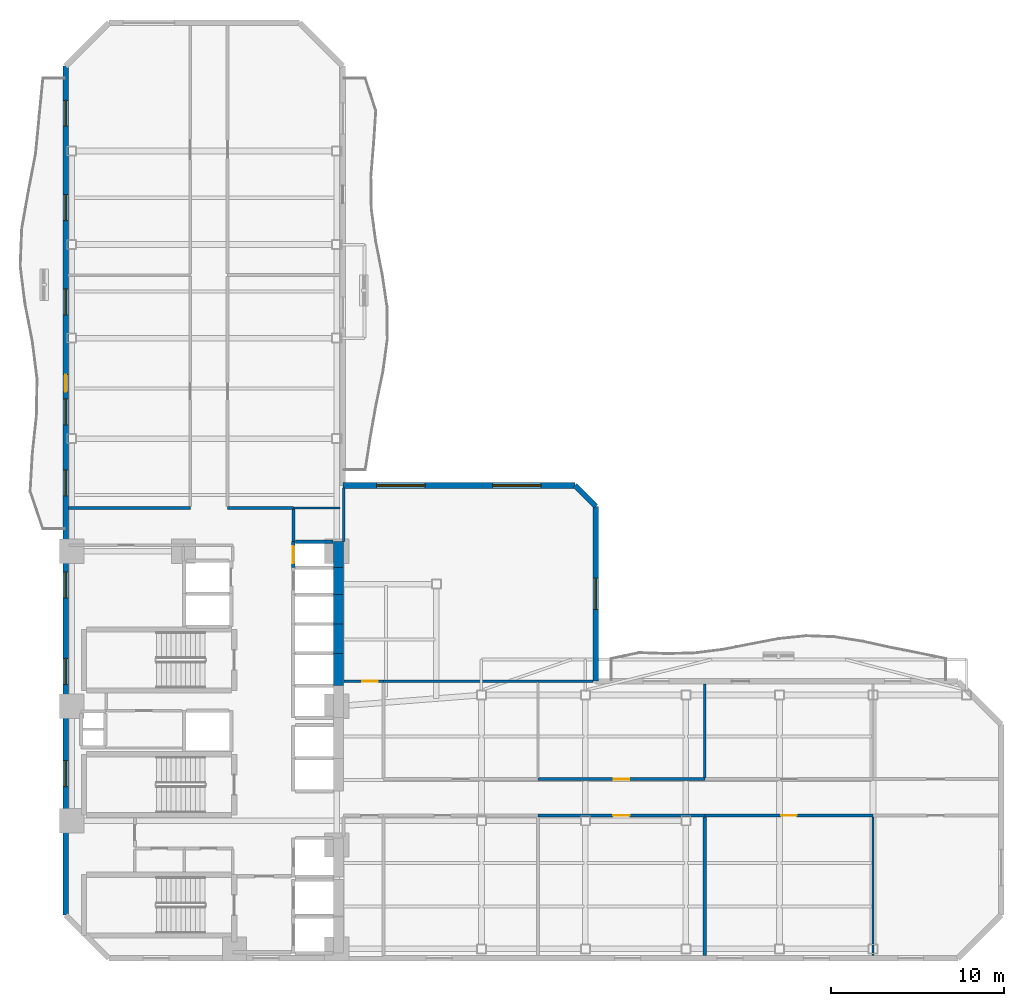
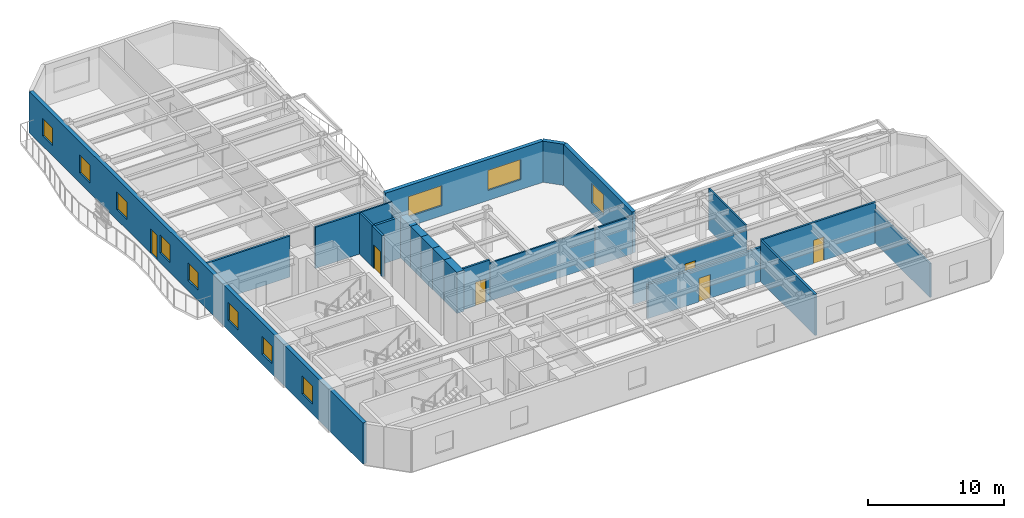
# One storey, part 5 of 10: 25 walls, 11 windows, 6 doors, 17 openings.
"""IFC4 building model written with IfcOpenShell, lengths in metres."""

from ifc_helpers import new_model, si_unit, direction, frame, frame_2d, origin, place, context, subcontext, project, spatial, rectangle, extrude, material, layer, layer_set, type_object, element, fill, save


model = new_model("IFC4")

# Units and contexts
model_context = context("Model", 3, precision=1e-05, world=origin(), true_north=direction((0.0, 1.0)))
body_context = subcontext(model_context, "Body", "Model", "MODEL_VIEW")
ifc_project = project(units=[si_unit("LENGTHUNIT", "METRE"), si_unit("AREAUNIT", "SQUARE_METRE"), si_unit("VOLUMEUNIT", "CUBIC_METRE"), si_unit("PLANEANGLEUNIT", "RADIAN"), si_unit("MASSUNIT", "GRAM", prefix="KILO")], contexts=[model_context])

# Site, building, storey
site_placement = place(None, origin())
site = spatial("IfcSite", under=ifc_project, at=site_placement, CompositionType="ELEMENT")
building_placement = place(site_placement, origin())
building = spatial("IfcBuilding", under=site, at=building_placement, Name="Mawjaban Terraces University", CompositionType="ELEMENT")
storey_placement = place(building_placement, frame((0.0, 0.0, 58.300048828125)))
storey = spatial("IfcBuildingStorey", under=building, at=storey_placement, Name="L13", CompositionType="ELEMENT", Elevation=58.300048828125)

# Wall, opening, door
ifc_material_1 = material(Name="Acoustic masonry blockwork", Category="masonry")
ifc_layer_1 = layer(ifc_material_1, 0.179931640625)
ifc_layer_set_1 = layer_set([ifc_layer_1], Name="Acoustic masonry blockwork")
wall_type_1 = type_object("IfcWallType", Name="AcousticStudioWall_180", PredefinedType="PARTITIONING", material=ifc_layer_set_1)
wall_1_placement = place(storey_placement, frame((49.260009765625, 8.25, 0.0), z_axis=(0.0, 0.0, 1.0), x_axis=(1.0, 0.0, 0.0)))
wall_1 = element("IfcWall", 1, at=wall_1_placement, inside=storey, type_object=wall_type_1, Name="L13 East Academic Spine Corridor Partition 17", PredefinedType="PARTITIONING", context=body_context, shape_type="SweptSolid", body=[
    extrude(rectangle(XDim=9.6298828125, YDim=0.179931640625, at=frame_2d((4.81494140625, 0.0))), origin(), (0.0, 0.0, 1.0), 3.054931640625),
])
opening_1_placement = place(wall_1_placement, frame((4.340087890625, 0.0, 0.0)))
opening_1 = element("IfcOpeningElement", 2, at=opening_1_placement, cuts=wall_1, Name="Opening ID-095", PredefinedType="OPENING", context=body_context, shape_type="SweptSolid", body=[
    extrude(rectangle(XDim=0.949951171875, YDim=2.10009765625, at=frame_2d((0.47509765625, 1.050048828125))), frame((0.0, 0.099853515625, 0.0), z_axis=(0.0, -1.0, 0.0), x_axis=(1.0, 0.0, 0.0)), (0.0, 0.0, 1.0), 0.199951171875),
])
ifc_material_2 = material(Name="Powder-coated steel frame and solid acoustic timber leaf", Category="steel")
door_type_1 = type_object("IfcDoorType", Name="StudioDoor_950x2100", OperationType="NOTDEFINED", PredefinedType="DOOR", material=ifc_material_2)
door_1_placement = place(opening_1_placement, origin())
door_1 = element("IfcDoor", 3, at=door_1_placement, inside=storey, type_object=door_type_1, Name="L13 Media Workshop 4 Door", OperationType="SINGLE_SWING_RIGHT", OverallHeight=2.10009765625, OverallWidth=0.949951171875, PredefinedType="DOOR", context=body_context, shape_type="SweptSolid", body=[
    extrude(rectangle(XDim=0.949951171875, YDim=2.10009765625, at=frame_2d((0.47509765625, 1.050048828125))), frame((0.0, 0.02490234375, 0.0), z_axis=(0.0, -1.0, 0.0), x_axis=(1.0, 0.0, 0.0)), (0.0, 0.0, 1.0), 0.050048828125),
])
fill(opening_1, door_1)

# Walls
wall_2_placement = place(storey_placement, frame((58.889892578125, 0.155029296875, 0.0), z_axis=(0.0, 0.0, 1.0), x_axis=(0.0, 1.0, 0.0)))
element("IfcWall", 4, at=wall_2_placement, inside=storey, type_object=wall_type_1, Name="L13 Media Workshop 4 Partition 44", PredefinedType="PARTITIONING", context=body_context, shape_type="SweptSolid", body=[
    extrude(rectangle(XDim=8.010009765625, YDim=0.179931640625, at=frame_2d((4.0048828125, 0.0))), origin(), (0.0, 0.0, 1.0), 3.68994140625),
])
ifc_material_3 = material(Name="Concrete C70/85", Category="concrete")
ifc_layer_2 = layer(ifc_material_3, 0.60009765625)
ifc_layer_set_2 = layer_set([ifc_layer_2], Name="Concrete C70/85")
wall_type_2 = type_object("IfcWallType", Name="CoreShearWall_600", PredefinedType="SHEAR", material=ifc_layer_set_2)
wall_3_placement = place(storey_placement, frame((37.75, 15.75, 0.0), z_axis=(0.0, 0.0, 1.0), x_axis=(0.0, 1.0, 0.0)))
element("IfcWall", 5, at=wall_3_placement, inside=storey, type_object=wall_type_2, Name="L13 Lift OL-2 Hoistway Wall East", PredefinedType="SHEAR", context=body_context, shape_type="SweptSolid", body=[
    extrude(rectangle(XDim=1.85009765625, YDim=0.60009765625, at=frame_2d((0.925048828125, 0.0))), origin(), (0.0, 0.0, 1.0), 3.68994140625),
])
for number, where, z_axis, x_axis, name in (
    (6, (37.75, 17.60009765625, 0.0), (0.0, 0.0, 1.0), (0.0, 1.0, 0.0), "L13 Lift PL-M1 Hoistway Wall East"),
    (7, (37.75, 19.300048828125, 0.0), (0.0, 0.0, 1.0), (0.0, 1.0, 0.0), "L13 Lift PL-M2 Hoistway Wall East"),
):
    element("IfcWall", number, at=place(storey_placement, frame(where, z_axis=z_axis, x_axis=x_axis)), inside=storey, type_object=wall_type_2, Name=name, PredefinedType="SHEAR", context=body_context, shape_type="SweptSolid", body=[
        extrude(rectangle(XDim=1.699951171875, YDim=0.60009765625, at=frame_2d((0.85009765625, 0.0))), origin(), (0.0, 0.0, 1.0), 3.68994140625),
    ])
wall_4_placement = place(storey_placement, frame((37.75, 21.0, 0.0), z_axis=(0.0, 0.0, 1.0), x_axis=(0.0, 1.0, 0.0)))
element("IfcWall", 8, at=wall_4_placement, inside=storey, type_object=wall_type_2, Name="L13 Lift PL-L1 Hoistway Wall East", PredefinedType="SHEAR", context=body_context, shape_type="SweptSolid", body=[
    extrude(rectangle(XDim=1.550048828125, YDim=0.60009765625, at=frame_2d((0.77490234375, 0.0))), origin(), (0.0, 0.0, 1.0), 3.68994140625),
])
wall_5_placement = place(storey_placement, frame((37.75, 22.550048828125, 0.0), z_axis=(0.0, 0.0, 1.0), x_axis=(0.0, 1.0, 0.0)))
element("IfcWall", 9, at=wall_5_placement, inside=storey, type_object=wall_type_2, Name="L13 Lift PL-L2 Hoistway Wall East", PredefinedType="SHEAR", context=body_context, shape_type="SweptSolid", body=[
    extrude(rectangle(XDim=1.5, YDim=0.60009765625, at=frame_2d((0.75, 0.0))), origin(), (0.0, 0.0, 1.0), 3.68994140625),
])
ifc_material_4 = material(Name="Fire-rated gypsum board on steel stud", Category="steel")
ifc_layer_3 = layer(ifc_material_4, 0.159912109375)
ifc_layer_set_3 = layer_set([ifc_layer_3], Name="Fire-rated gypsum board on steel stud")
wall_type_3 = type_object("IfcWallType", Name="CorridorPartition_160", PredefinedType="PARTITIONING", material=ifc_layer_set_3)
wall_6_placement = place(storey_placement, frame((29.199951171875, 26.0, 0.0), z_axis=(0.0, 0.0, 1.0), x_axis=(-1.0, 0.0, 0.0)))
element("IfcWall", 10, at=wall_6_placement, inside=storey, type_object=wall_type_3, Name="L13 North Core Cross-Corridor Partition 7", PredefinedType="PARTITIONING", context=body_context, shape_type="SweptSolid", body=[
    extrude(rectangle(XDim=7.044921875, YDim=0.159912109375, at=frame_2d((3.5224609375, 0.0))), origin(), (0.0, 0.0, 1.0), 3.68994140625),
])
wall_7_placement = place(storey_placement, frame((35.14990234375, 26.0, 0.0), z_axis=(0.0, 0.0, 1.0), x_axis=(-1.0, 0.0, 0.0)))
element("IfcWall", 11, at=wall_7_placement, inside=storey, type_object=wall_type_3, Name="L13 North Core Cross-Corridor Partition 11", PredefinedType="PARTITIONING", context=body_context, shape_type="SweptSolid", body=[
    extrude(rectangle(XDim=3.7998046875, YDim=0.159912109375, at=frame_2d((1.89990234375, 0.0))), origin(), (0.0, 0.0, 1.0), 3.68994140625),
])

# Wall, opening, door
wall_8_placement = place(storey_placement, frame((40.35009765625, 16.0, 0.0), z_axis=(0.0, 0.0, 1.0), x_axis=(-1.0, 0.0, 0.0)))
wall_8 = element("IfcWall", 12, at=wall_8_placement, inside=storey, type_object=wall_type_3, Name="L13 East Academic Corridor Vestibule Partition 16", PredefinedType="PARTITIONING", context=body_context, shape_type="SweptSolid", body=[
    extrude(rectangle(XDim=2.27001953125, YDim=0.159912109375, at=frame_2d((1.135009765625, 0.0))), origin(), (0.0, 0.0, 1.0), 3.68994140625),
])
opening_2_placement = place(wall_8_placement, frame((0.3349609375, 0.0, 0.0)))
opening_2 = element("IfcOpeningElement", 13, at=opening_2_placement, cuts=wall_8, Name="Opening ID-090", PredefinedType="OPENING", context=body_context, shape_type="SweptSolid", body=[
    extrude(rectangle(XDim=0.89990234375, YDim=2.10009765625, at=frame_2d((0.449951171875, 1.050048828125))), frame((0.0, 0.08984375, 0.0), z_axis=(0.0, -1.0, 0.0), x_axis=(1.0, 0.0, 0.0)), (0.0, 0.0, 1.0), 0.179931640625),
])
door_type_2 = type_object("IfcDoorType", Name="OfficeDoor_900x2100", OperationType="NOTDEFINED", PredefinedType="DOOR", material=ifc_material_2)
door_2_placement = place(opening_2_placement, origin())
door_2 = element("IfcDoor", 14, at=door_2_placement, inside=storey, type_object=door_type_2, Name="L13 Terrace Collaborative Study Room Door", OperationType="SINGLE_SWING_RIGHT", OverallHeight=2.10009765625, OverallWidth=0.89990234375, PredefinedType="DOOR", context=body_context, shape_type="SweptSolid", body=[
    extrude(rectangle(XDim=0.89990234375, YDim=2.10009765625, at=frame_2d((0.449951171875, 1.050048828125))), frame((0.0, 0.02490234375, 0.0), z_axis=(0.0, -1.0, 0.0), x_axis=(1.0, 0.0, 0.0)), (0.0, 0.0, 1.0), 0.050048828125),
])
fill(opening_2, door_2)

wall_9_placement = place(storey_placement, frame((58.889892578125, 8.25, 0.0), z_axis=(0.0, 0.0, 1.0), x_axis=(1.0, 0.0, 0.0)))
wall_9 = element("IfcWall", 15, at=wall_9_placement, inside=storey, type_object=wall_type_3, Name="L13 East Academic Spine Corridor Partition 21", PredefinedType="PARTITIONING", context=body_context, shape_type="SweptSolid", body=[
    extrude(rectangle(XDim=9.710205078125, YDim=0.159912109375, at=frame_2d((4.85498046875, 0.0))), origin(), (0.0, 0.0, 1.0), 3.68994140625),
])
opening_3_placement = place(wall_9_placement, frame((4.405029296875, 0.0, 0.0)))
opening_3 = element("IfcOpeningElement", 16, at=opening_3_placement, cuts=wall_9, Name="Opening ID-090", PredefinedType="OPENING", context=body_context, shape_type="SweptSolid", body=[
    extrude(rectangle(XDim=0.89990234375, YDim=2.10009765625, at=frame_2d((0.449951171875, 1.050048828125))), frame((0.0, 0.08984375, 0.0), z_axis=(0.0, -1.0, 0.0), x_axis=(1.0, 0.0, 0.0)), (0.0, 0.0, 1.0), 0.179931640625),
])
door_3_placement = place(opening_3_placement, origin())
door_3 = element("IfcDoor", 17, at=door_3_placement, inside=storey, type_object=door_type_2, Name="L13 Reading Salon 6 Door", OperationType="SINGLE_SWING_RIGHT", OverallHeight=2.10009765625, OverallWidth=0.89990234375, PredefinedType="DOOR", context=body_context, shape_type="SweptSolid", body=[
    extrude(rectangle(XDim=0.89990234375, YDim=2.10009765625, at=frame_2d((0.449951171875, 1.050048828125))), frame((0.0, 0.02490234375, 0.0), z_axis=(0.0, -1.0, 0.0), x_axis=(1.0, 0.0, 0.0)), (0.0, 0.0, 1.0), 0.050048828125),
])
fill(opening_3, door_3)

wall_10_placement = place(storey_placement, frame((58.889892578125, 10.35009765625, 0.0), z_axis=(0.0, 0.0, 1.0), x_axis=(-1.0, 0.0, 0.0)))
wall_10 = element("IfcWall", 18, at=wall_10_placement, inside=storey, type_object=wall_type_3, Name="L13 East Academic Spine Corridor Partition 22", PredefinedType="PARTITIONING", context=body_context, shape_type="SweptSolid", body=[
    extrude(rectangle(XDim=9.6298828125, YDim=0.159912109375, at=frame_2d((4.81494140625, 0.0))), origin(), (0.0, 0.0, 1.0), 3.27685546875),
])
opening_4_placement = place(wall_10_placement, frame((4.364990234375, 0.0, 0.0)))
opening_4 = element("IfcOpeningElement", 19, at=opening_4_placement, cuts=wall_10, Name="Opening ID-090", PredefinedType="OPENING", context=body_context, shape_type="SweptSolid", body=[
    extrude(rectangle(XDim=0.89990234375, YDim=2.10009765625, at=frame_2d((0.449951171875, 1.050048828125))), frame((0.0, 0.08984375, 0.0), z_axis=(0.0, -1.0, 0.0), x_axis=(1.0, 0.0, 0.0)), (0.0, 0.0, 1.0), 0.179931640625),
])
door_4_placement = place(opening_4_placement, origin())
door_4 = element("IfcDoor", 20, at=door_4_placement, inside=storey, type_object=door_type_2, Name="L13 Quiet Reading Room 5 Door", OperationType="SINGLE_SWING_LEFT", OverallHeight=2.10009765625, OverallWidth=0.89990234375, PredefinedType="DOOR", context=body_context, shape_type="SweptSolid", body=[
    extrude(rectangle(XDim=0.89990234375, YDim=2.10009765625, at=frame_2d((0.449951171875, 1.050048828125))), frame((0.0, 0.02490234375, 0.0), z_axis=(0.0, -1.0, 0.0), x_axis=(1.0, 0.0, 0.0)), (0.0, 0.0, 1.0), 0.050048828125),
])
fill(opening_4, door_4)

# Wall
wall_11_placement = place(storey_placement, frame((35.14990234375, 24.070068359375, 0.0), z_axis=(0.0, 0.0, 1.0), x_axis=(0.0, 1.0, 0.0)))
element("IfcWall", 21, at=wall_11_placement, inside=storey, type_object=wall_type_3, Name="L13 North Core Cross-Corridor Partition 37", PredefinedType="PARTITIONING", context=body_context, shape_type="SweptSolid", body=[
    extrude(rectangle(XDim=1.85498046875, YDim=0.159912109375, at=frame_2d((0.927490234375, 0.0))), origin(), (0.0, 0.0, 1.0), 3.68994140625),
])

# Wall, opening, window
ifc_material_5 = material(Name="Insulated terracotta rainscreen on concrete backup C40/50", Category="masonry")
ifc_layer_4 = layer(ifc_material_5, 0.320068359375)
ifc_layer_set_4 = layer_set([ifc_layer_4], Name="Insulated terracotta rainscreen on concrete backup C40/50")
wall_type_4 = type_object("IfcWallType", Name="ExtTerracottaWall_320", PredefinedType="SOLIDWALL", material=ifc_layer_set_4)
wall_12_placement = place(storey_placement, frame((52.60009765625, 16.0, 0.0), z_axis=(0.0, 0.0, 1.0), x_axis=(0.0, 1.0, 0.0)))
wall_12 = element("IfcWall", 22, at=wall_12_placement, inside=storey, type_object=wall_type_4, Name="L13 Exterior Terracotta Wall 6", PredefinedType="SOLIDWALL", context=body_context, shape_type="SweptSolid", body=[
    extrude(rectangle(XDim=10.094970703125, YDim=0.320068359375, at=frame_2d((5.04736328125, 0.0))), origin(), (0.0, 0.0, 1.0), 3.68994140625),
])
opening_5_placement = place(wall_12_placement, frame((4.14697265625, 0.0, 0.89990234375)))
opening_5 = element("IfcOpeningElement", 23, at=opening_5_placement, cuts=wall_12, Name="Opening W-07", PredefinedType="OPENING", context=body_context, shape_type="SweptSolid", body=[
    extrude(rectangle(XDim=1.800048828125, YDim=1.800048828125, at=frame_2d((0.89990234375, 0.89990234375))), frame((0.0, 0.169921875, 0.0), z_axis=(0.0, -1.0, 0.0), x_axis=(1.0, 0.0, 0.0)), (0.0, 0.0, 1.0), 0.340087890625),
])
ifc_material_6 = material(Name="Low-E solar-control double glazing in thermally broken aluminium frame", Category="aluminium")
window_type_1 = type_object("IfcWindowType", Name="Win_1800x1800", PartitioningType="SINGLE_PANEL", PredefinedType="WINDOW", material=ifc_material_6)
window_1_placement = place(opening_5_placement, origin())
window_1 = element("IfcWindow", 24, at=window_1_placement, inside=storey, type_object=window_type_1, Name="L13 Facade Window 6.1", OverallHeight=1.800048828125, OverallWidth=1.800048828125, PartitioningType="SINGLE_PANEL", PredefinedType="WINDOW", context=body_context, shape_type="SweptSolid", body=[
    extrude(rectangle(XDim=1.800048828125, YDim=1.800048828125, at=frame_2d((0.89990234375, 0.89990234375))), frame((0.0, 0.030029296875, 0.0), z_axis=(0.0, -1.0, 0.0), x_axis=(1.0, 0.0, 0.0)), (0.0, 0.0, 1.0), 0.06005859375),
])
fill(opening_5, window_1)

# Wall
wall_13_placement = place(storey_placement, frame((52.60009765625, 26.094970703125, 0.0), z_axis=(0.0, 0.0, 1.0), x_axis=(-0.707178703759, 0.707034851297, 0.0)))
element("IfcWall", 25, at=wall_13_placement, inside=storey, type_object=wall_type_4, Name="L13 Exterior Terracotta Wall 7", PredefinedType="SOLIDWALL", context=body_context, shape_type="SweptSolid", body=[
    extrude(rectangle(XDim=1.697265625, YDim=0.320068359375, at=frame_2d((0.8486328125, 0.0))), origin(), (0.0, 0.0, 1.0), 3.68994140625),
])

# Wall, openings, windows
wall_14_placement = place(storey_placement, frame((51.39990234375, 27.294921875, 0.0), z_axis=(0.0, 0.0, 1.0), x_axis=(-1.0, 0.0, 0.0)))
wall_14 = element("IfcWall", 26, at=wall_14_placement, inside=storey, type_object=wall_type_4, Name="L13 Exterior Terracotta Wall 8", PredefinedType="SOLIDWALL", context=body_context, shape_type="SweptSolid", body=[
    extrude(rectangle(XDim=13.39990234375, YDim=0.320068359375, at=frame_2d((6.699951171875, 0.0))), origin(), (0.0, 0.0, 1.0), 3.68994140625),
])
opening_6_placement = place(wall_14_placement, frame((1.949951171875, 0.0, 0.89990234375)))
opening_6 = element("IfcOpeningElement", 27, at=opening_6_placement, cuts=wall_14, Name="Opening W-09", PredefinedType="OPENING", context=body_context, shape_type="SweptSolid", body=[
    extrude(rectangle(XDim=2.800048828125, YDim=1.800048828125, at=frame_2d((1.39990234375, 0.89990234375))), frame((0.0, 0.169921875, 0.0), z_axis=(0.0, -1.0, 0.0), x_axis=(1.0, 0.0, 0.0)), (0.0, 0.0, 1.0), 0.340087890625),
])
opening_7_placement = place(wall_14_placement, frame((8.64990234375, 0.0, 0.89990234375)))
opening_7 = element("IfcOpeningElement", 28, at=opening_7_placement, cuts=wall_14, Name="Opening W-09", PredefinedType="OPENING", context=body_context, shape_type="SweptSolid", body=[
    extrude(rectangle(XDim=2.800048828125, YDim=1.800048828125, at=frame_2d((1.39990234375, 0.89990234375))), frame((0.0, 0.169921875, 0.0), z_axis=(0.0, -1.0, 0.0), x_axis=(1.0, 0.0, 0.0)), (0.0, 0.0, 1.0), 0.340087890625),
])
window_type_2 = type_object("IfcWindowType", Name="Win_2800x1800", PartitioningType="SINGLE_PANEL", PredefinedType="WINDOW", material=ifc_material_6)
window_2_placement = place(opening_6_placement, origin())
window_2 = element("IfcWindow", 29, at=window_2_placement, inside=storey, type_object=window_type_2, Name="L13 Facade Window 8.1", OverallHeight=1.800048828125, OverallWidth=2.800048828125, PartitioningType="SINGLE_PANEL", PredefinedType="WINDOW", context=body_context, shape_type="SweptSolid", body=[
    extrude(rectangle(XDim=2.800048828125, YDim=1.800048828125, at=frame_2d((1.39990234375, 0.89990234375))), frame((0.0, 0.030029296875, 0.0), z_axis=(0.0, -1.0, 0.0), x_axis=(1.0, 0.0, 0.0)), (0.0, 0.0, 1.0), 0.06005859375),
])
fill(opening_6, window_2)
window_3_placement = place(opening_7_placement, origin())
window_3 = element("IfcWindow", 30, at=window_3_placement, inside=storey, type_object=window_type_2, Name="L13 Facade Window 8.2", OverallHeight=1.800048828125, OverallWidth=2.800048828125, PartitioningType="SINGLE_PANEL", PredefinedType="WINDOW", context=body_context, shape_type="SweptSolid", body=[
    extrude(rectangle(XDim=2.800048828125, YDim=1.800048828125, at=frame_2d((1.39990234375, 0.89990234375))), frame((0.0, 0.030029296875, 0.0), z_axis=(0.0, -1.0, 0.0), x_axis=(1.0, 0.0, 0.0)), (0.0, 0.0, 1.0), 0.06005859375),
])
fill(opening_7, window_3)

# Wall, openings, door, windows
wall_15_placement = place(storey_placement, frame((22.0, 51.5, 0.0), z_axis=(0.0, 0.0, 1.0), x_axis=(0.0, -1.0, 0.0)))
wall_15 = element("IfcWall", 31, at=wall_15_placement, inside=storey, type_object=wall_type_4, Name="L13 Exterior Terracotta Wall 13", PredefinedType="SOLIDWALL", context=body_context, shape_type="SweptSolid", body=[
    extrude(rectangle(XDim=49.0, YDim=0.320068359375, at=frame_2d((24.5, 0.0))), origin(), (0.0, 0.0, 1.0), 3.68994140625),
])
opening_8_placement = place(wall_15_placement, frame((17.800048828125, 0.0, 0.0)))
opening_8 = element("IfcOpeningElement", 32, at=opening_8_placement, cuts=wall_15, Name="Opening BD-100", PredefinedType="OPENING", context=body_context, shape_type="SweptSolid", body=[
    extrude(rectangle(XDim=1.0, YDim=2.199951171875, at=frame_2d((0.5, 1.10009765625))), frame((0.0, 0.169921875, 0.0), z_axis=(0.0, -1.0, 0.0), x_axis=(1.0, 0.0, 0.0)), (0.0, 0.0, 1.0), 0.340087890625),
])
opening_9_placement = place(wall_15_placement, frame((1.971923828125, 0.0, 0.89990234375)))
opening_9 = element("IfcOpeningElement", 33, at=opening_9_placement, cuts=wall_15, Name="Opening W-02", PredefinedType="OPENING", context=body_context, shape_type="SweptSolid", body=[
    extrude(rectangle(XDim=1.5, YDim=1.60009765625, at=frame_2d((0.75, 0.800048828125))), frame((0.0, 0.169921875, 0.0), z_axis=(0.0, -1.0, 0.0), x_axis=(1.0, 0.0, 0.0)), (0.0, 0.0, 1.0), 0.340087890625),
])
opening_10_placement = place(wall_15_placement, frame((7.4169921875, 0.0, 0.89990234375)))
opening_10 = element("IfcOpeningElement", 34, at=opening_10_placement, cuts=wall_15, Name="Opening W-02", PredefinedType="OPENING", context=body_context, shape_type="SweptSolid", body=[
    extrude(rectangle(XDim=1.5, YDim=1.60009765625, at=frame_2d((0.75, 0.800048828125))), frame((0.0, 0.169921875, 0.0), z_axis=(0.0, -1.0, 0.0), x_axis=(1.0, 0.0, 0.0)), (0.0, 0.0, 1.0), 0.340087890625),
])
opening_11_placement = place(wall_15_placement, frame((12.861083984375, 0.0, 0.89990234375)))
opening_11 = element("IfcOpeningElement", 35, at=opening_11_placement, cuts=wall_15, Name="Opening W-02", PredefinedType="OPENING", context=body_context, shape_type="SweptSolid", body=[
    extrude(rectangle(XDim=1.5, YDim=1.60009765625, at=frame_2d((0.75, 0.800048828125))), frame((0.0, 0.169921875, 0.0), z_axis=(0.0, -1.0, 0.0), x_axis=(1.0, 0.0, 0.0)), (0.0, 0.0, 1.0), 0.340087890625),
])
opening_12_placement = place(wall_15_placement, frame((19.2060546875, 0.0, 0.89990234375)))
opening_12 = element("IfcOpeningElement", 36, at=opening_12_placement, cuts=wall_15, Name="Opening W-02", PredefinedType="OPENING", context=body_context, shape_type="SweptSolid", body=[
    extrude(rectangle(XDim=1.5, YDim=1.60009765625, at=frame_2d((0.75, 0.800048828125))), frame((0.0, 0.169921875, 0.0), z_axis=(0.0, -1.0, 0.0), x_axis=(1.0, 0.0, 0.0)), (0.0, 0.0, 1.0), 0.340087890625),
])
opening_13_placement = place(wall_15_placement, frame((23.300048828125, 0.0, 0.89990234375)))
opening_13 = element("IfcOpeningElement", 37, at=opening_13_placement, cuts=wall_15, Name="Opening W-02", PredefinedType="OPENING", context=body_context, shape_type="SweptSolid", body=[
    extrude(rectangle(XDim=1.5, YDim=1.60009765625, at=frame_2d((0.75, 0.800048828125))), frame((0.0, 0.169921875, 0.0), z_axis=(0.0, -1.0, 0.0), x_axis=(1.0, 0.0, 0.0)), (0.0, 0.0, 1.0), 0.340087890625),
])
opening_14_placement = place(wall_15_placement, frame((29.194091796875, 0.0, 0.89990234375)))
opening_14 = element("IfcOpeningElement", 38, at=opening_14_placement, cuts=wall_15, Name="Opening W-02", PredefinedType="OPENING", context=body_context, shape_type="SweptSolid", body=[
    extrude(rectangle(XDim=1.5, YDim=1.60009765625, at=frame_2d((0.75, 0.800048828125))), frame((0.0, 0.169921875, 0.0), z_axis=(0.0, -1.0, 0.0), x_axis=(1.0, 0.0, 0.0)), (0.0, 0.0, 1.0), 0.340087890625),
])
opening_15_placement = place(wall_15_placement, frame((34.18896484375, 0.0, 0.89990234375)))
opening_15 = element("IfcOpeningElement", 39, at=opening_15_placement, cuts=wall_15, Name="Opening W-02", PredefinedType="OPENING", context=body_context, shape_type="SweptSolid", body=[
    extrude(rectangle(XDim=1.5, YDim=1.60009765625, at=frame_2d((0.75, 0.800048828125))), frame((0.0, 0.169921875, 0.0), z_axis=(0.0, -1.0, 0.0), x_axis=(1.0, 0.0, 0.0)), (0.0, 0.0, 1.0), 0.340087890625),
])
opening_16_placement = place(wall_15_placement, frame((40.0830078125, 0.0, 0.89990234375)))
opening_16 = element("IfcOpeningElement", 40, at=opening_16_placement, cuts=wall_15, Name="Opening W-02", PredefinedType="OPENING", context=body_context, shape_type="SweptSolid", body=[
    extrude(rectangle(XDim=1.5, YDim=1.60009765625, at=frame_2d((0.75, 0.800048828125))), frame((0.0, 0.169921875, 0.0), z_axis=(0.0, -1.0, 0.0), x_axis=(1.0, 0.0, 0.0)), (0.0, 0.0, 1.0), 0.340087890625),
])
ifc_material_7 = material(Name="Thermally broken anodised aluminium and laminated safety glass", Category="aluminium")
door_type_3 = type_object("IfcDoorType", Name="BalconyGlazedDoor_1000x2200", OperationType="NOTDEFINED", PredefinedType="DOOR", material=ifc_material_7)
door_5_placement = place(opening_8_placement, origin())
door_5 = element("IfcDoor", 41, at=door_5_placement, inside=storey, type_object=door_type_3, Name="L13 Balcony Access Door west", OperationType="SINGLE_SWING_RIGHT", OverallHeight=2.199951171875, OverallWidth=1.0, PredefinedType="DOOR", context=body_context, shape_type="SweptSolid", body=[
    extrude(rectangle(XDim=1.0, YDim=2.199951171875, at=frame_2d((0.5, 1.10009765625))), frame((0.0, 0.02490234375, 0.0), z_axis=(0.0, -1.0, 0.0), x_axis=(1.0, 0.0, 0.0)), (0.0, 0.0, 1.0), 0.050048828125),
])
fill(opening_8, door_5)
window_type_3 = type_object("IfcWindowType", Name="Win_1500x1600", PartitioningType="SINGLE_PANEL", PredefinedType="WINDOW", material=ifc_material_6)
window_4_placement = place(opening_9_placement, origin())
window_4 = element("IfcWindow", 42, at=window_4_placement, inside=storey, type_object=window_type_3, Name="L13 Facade Window 13.1", OverallHeight=1.60009765625, OverallWidth=1.5, PartitioningType="SINGLE_PANEL", PredefinedType="WINDOW", context=body_context, shape_type="SweptSolid", body=[
    extrude(rectangle(XDim=1.5, YDim=1.60009765625, at=frame_2d((0.75, 0.800048828125))), frame((0.0, 0.030029296875, 0.0), z_axis=(0.0, -1.0, 0.0), x_axis=(1.0, 0.0, 0.0)), (0.0, 0.0, 1.0), 0.06005859375),
])
fill(opening_9, window_4)
window_5_placement = place(opening_10_placement, origin())
window_5 = element("IfcWindow", 43, at=window_5_placement, inside=storey, type_object=window_type_3, Name="L13 Facade Window 13.2", OverallHeight=1.60009765625, OverallWidth=1.5, PartitioningType="SINGLE_PANEL", PredefinedType="WINDOW", context=body_context, shape_type="SweptSolid", body=[
    extrude(rectangle(XDim=1.5, YDim=1.60009765625, at=frame_2d((0.75, 0.800048828125))), frame((0.0, 0.030029296875, 0.0), z_axis=(0.0, -1.0, 0.0), x_axis=(1.0, 0.0, 0.0)), (0.0, 0.0, 1.0), 0.06005859375),
])
fill(opening_10, window_5)
window_6_placement = place(opening_11_placement, origin())
window_6 = element("IfcWindow", 44, at=window_6_placement, inside=storey, type_object=window_type_3, Name="L13 Facade Window 13.3", OverallHeight=1.60009765625, OverallWidth=1.5, PartitioningType="SINGLE_PANEL", PredefinedType="WINDOW", context=body_context, shape_type="SweptSolid", body=[
    extrude(rectangle(XDim=1.5, YDim=1.60009765625, at=frame_2d((0.75, 0.800048828125))), frame((0.0, 0.030029296875, 0.0), z_axis=(0.0, -1.0, 0.0), x_axis=(1.0, 0.0, 0.0)), (0.0, 0.0, 1.0), 0.06005859375),
])
fill(opening_11, window_6)
window_7_placement = place(opening_12_placement, origin())
window_7 = element("IfcWindow", 45, at=window_7_placement, inside=storey, type_object=window_type_3, Name="L13 Facade Window 13.4", OverallHeight=1.60009765625, OverallWidth=1.5, PartitioningType="SINGLE_PANEL", PredefinedType="WINDOW", context=body_context, shape_type="SweptSolid", body=[
    extrude(rectangle(XDim=1.5, YDim=1.60009765625, at=frame_2d((0.75, 0.800048828125))), frame((0.0, 0.030029296875, 0.0), z_axis=(0.0, -1.0, 0.0), x_axis=(1.0, 0.0, 0.0)), (0.0, 0.0, 1.0), 0.06005859375),
])
fill(opening_12, window_7)
window_8_placement = place(opening_13_placement, origin())
window_8 = element("IfcWindow", 46, at=window_8_placement, inside=storey, type_object=window_type_3, Name="L13 Facade Window 13.5", OverallHeight=1.60009765625, OverallWidth=1.5, PartitioningType="SINGLE_PANEL", PredefinedType="WINDOW", context=body_context, shape_type="SweptSolid", body=[
    extrude(rectangle(XDim=1.5, YDim=1.60009765625, at=frame_2d((0.75, 0.800048828125))), frame((0.0, 0.030029296875, 0.0), z_axis=(0.0, -1.0, 0.0), x_axis=(1.0, 0.0, 0.0)), (0.0, 0.0, 1.0), 0.06005859375),
])
fill(opening_13, window_8)
window_9_placement = place(opening_14_placement, origin())
window_9 = element("IfcWindow", 47, at=window_9_placement, inside=storey, type_object=window_type_3, Name="L13 Facade Window 13.6", OverallHeight=1.60009765625, OverallWidth=1.5, PartitioningType="SINGLE_PANEL", PredefinedType="WINDOW", context=body_context, shape_type="SweptSolid", body=[
    extrude(rectangle(XDim=1.5, YDim=1.60009765625, at=frame_2d((0.75, 0.800048828125))), frame((0.0, 0.030029296875, 0.0), z_axis=(0.0, -1.0, 0.0), x_axis=(1.0, 0.0, 0.0)), (0.0, 0.0, 1.0), 0.06005859375),
])
fill(opening_14, window_9)
window_10_placement = place(opening_15_placement, origin())
window_10 = element("IfcWindow", 48, at=window_10_placement, inside=storey, type_object=window_type_3, Name="L13 Facade Window 13.7", OverallHeight=1.60009765625, OverallWidth=1.5, PartitioningType="SINGLE_PANEL", PredefinedType="WINDOW", context=body_context, shape_type="SweptSolid", body=[
    extrude(rectangle(XDim=1.5, YDim=1.60009765625, at=frame_2d((0.75, 0.800048828125))), frame((0.0, 0.030029296875, 0.0), z_axis=(0.0, -1.0, 0.0), x_axis=(1.0, 0.0, 0.0)), (0.0, 0.0, 1.0), 0.06005859375),
])
fill(opening_15, window_10)
window_11_placement = place(opening_16_placement, origin())
window_11 = element("IfcWindow", 49, at=window_11_placement, inside=storey, type_object=window_type_3, Name="L13 Facade Window 13.8", OverallHeight=1.60009765625, OverallWidth=1.5, PartitioningType="SINGLE_PANEL", PredefinedType="WINDOW", context=body_context, shape_type="SweptSolid", body=[
    extrude(rectangle(XDim=1.5, YDim=1.60009765625, at=frame_2d((0.75, 0.800048828125))), frame((0.0, 0.030029296875, 0.0), z_axis=(0.0, -1.0, 0.0), x_axis=(1.0, 0.0, 0.0)), (0.0, 0.0, 1.0), 0.06005859375),
])
fill(opening_16, window_11)

# Wall, opening, door
ifc_material_8 = material(Name="Concrete C40/50", Category="concrete")
ifc_layer_5 = layer(ifc_material_8, 0.199951171875)
ifc_layer_set_5 = layer_set([ifc_layer_5], Name="Concrete C40/50")
wall_type_5 = type_object("IfcWallType", Name="FireLobbyWall_200", PredefinedType="SOLIDWALL", material=ifc_layer_set_5)
wall_16_placement = place(storey_placement, frame((35.14990234375, 24.050048828125, 0.0), z_axis=(0.0, 0.0, 1.0), x_axis=(0.0, -1.0, 0.0)))
wall_16 = element("IfcWall", 50, at=wall_16_placement, inside=storey, type_object=wall_type_5, Name="L13 Lift PL-L2 Hoistway Wall West", PredefinedType="SOLIDWALL", context=body_context, shape_type="SweptSolid", body=[
    extrude(rectangle(XDim=1.5, YDim=0.199951171875, at=frame_2d((0.75, 0.0))), origin(), (0.0, 0.0, 1.0), 3.68994140625),
])
opening_17_placement = place(wall_16_placement, frame((0.25, 0.0, 0.0)))
opening_17 = element("IfcOpeningElement", 51, at=opening_17_placement, cuts=wall_16, Name="Opening LD-PL-L2", PredefinedType="OPENING", context=body_context, shape_type="SweptSolid", body=[
    extrude(rectangle(XDim=1.0, YDim=2.10009765625, at=frame_2d((0.5, 1.050048828125))), frame((0.0, 0.10986328125, 0.0), z_axis=(0.0, -1.0, 0.0), x_axis=(1.0, 0.0, 0.0)), (0.0, 0.0, 1.0), 0.219970703125),
])
ifc_material_9 = material(Name="Powder-coated steel frame and fire-rated steel-faced leaf", Category="steel")
door_type_4 = type_object("IfcDoorType", Name="LiftLandingSliding_1000x2100", OperationType="NOTDEFINED", PredefinedType="DOOR", material=ifc_material_9)
door_6_placement = place(opening_17_placement, origin())
door_6 = element("IfcDoor", 52, at=door_6_placement, inside=storey, type_object=door_type_4, Name="L13 Lift PL-L2 Sliding Landing Door", OperationType="DOUBLE_DOOR_SLIDING", OverallHeight=2.10009765625, OverallWidth=1.0, PredefinedType="DOOR", context=body_context, shape_type="SweptSolid", body=[
    extrude(rectangle(XDim=1.0, YDim=2.10009765625, at=frame_2d((0.5, 1.050048828125))), frame((0.0, 0.02490234375, 0.0), z_axis=(0.0, -1.0, 0.0), x_axis=(1.0, 0.0, 0.0)), (0.0, 0.0, 1.0), 0.050048828125),
])
fill(opening_17, door_6)

# Walls
wall_17_placement = place(storey_placement, frame((37.419921875, 24.050048828125, 0.0), z_axis=(0.0, 0.0, 1.0), x_axis=(-1.0, 0.0, 0.0)))
element("IfcWall", 53, at=wall_17_placement, inside=storey, type_object=wall_type_5, Name="L13 Lift PL-L2 Hoistway Wall North", PredefinedType="SOLIDWALL", context=body_context, shape_type="SweptSolid", body=[
    extrude(rectangle(XDim=2.139892578125, YDim=0.199951171875, at=frame_2d((1.06982421875, 0.0))), origin(), (0.0, 0.0, 1.0), 3.68994140625),
])
ifc_material_10 = material(Name="Gypsum plasterboard on steel stud", Category="steel")
ifc_layer_6 = layer(ifc_material_10, 0.125)
ifc_layer_set_6 = layer_set([ifc_layer_6], Name="Gypsum plasterboard on steel stud")
wall_type_6 = type_object("IfcWallType", Name="OfficePartition_125", PredefinedType="PARTITIONING", material=ifc_layer_set_6)
wall_18_placement = place(storey_placement, frame((35.14990234375, 26.0, 0.0), z_axis=(0.0, 0.0, 1.0), x_axis=(1.0, 0.0, 0.0)))
element("IfcWall", 54, at=wall_18_placement, inside=storey, type_object=wall_type_6, Name="L13 Faculty Office 11 Partition 12", PredefinedType="PARTITIONING", context=body_context, shape_type="SweptSolid", body=[
    extrude(rectangle(XDim=2.7001953125, YDim=0.125, at=frame_2d((1.35009765625, 0.0))), origin(), (0.0, 0.0, 1.0), 3.68994140625),
])
wall_19_placement = place(storey_placement, frame((49.260009765625, 16.0, 0.0), z_axis=(0.0, 0.0, 1.0), x_axis=(1.0, 0.0, 0.0)))
element("IfcWall", 55, at=wall_19_placement, inside=storey, type_object=wall_type_6, Name="L13 Terrace Collaborative Study Room Partition 19", PredefinedType="PARTITIONING", context=body_context, shape_type="SweptSolid", body=[
    extrude(rectangle(XDim=3.18505859375, YDim=0.125, at=frame_2d((1.592529296875, 0.0))), origin(), (0.0, 0.0, 1.0), 3.389892578125),
])
wall_20_placement = place(storey_placement, frame((49.260009765625, 16.0, 0.0), z_axis=(0.0, 0.0, 1.0), x_axis=(-1.0, 0.0, 0.0)))
element("IfcWall", 56, at=wall_20_placement, inside=storey, type_object=wall_type_6, Name="L13 Reading Salon 3 Partition 20", PredefinedType="PARTITIONING", context=body_context, shape_type="SweptSolid", body=[
    extrude(rectangle(XDim=8.909912109375, YDim=0.125, at=frame_2d((4.455078125, 0.0))), origin(), (0.0, 0.0, 1.0), 3.389892578125),
])
wall_21_placement = place(storey_placement, frame((38.050048828125, 27.139892578125, 0.0), z_axis=(0.0, 0.0, 1.0), x_axis=(0.0, -1.0, 0.0)))
element("IfcWall", 57, at=wall_21_placement, inside=storey, type_object=wall_type_6, Name="L13 Terrace Collaborative Study Room Partition 39", PredefinedType="PARTITIONING", context=body_context, shape_type="SweptSolid", body=[
    extrude(rectangle(XDim=3.08984375, YDim=0.125, at=frame_2d((1.544921875, 0.0))), origin(), (0.0, 0.0, 1.0), 3.054931640625),
])
wall_22_placement = place(storey_placement, frame((58.889892578125, 10.425048828125, 0.0), z_axis=(0.0, 0.0, 1.0), x_axis=(0.0, 1.0, 0.0)))
element("IfcWall", 58, at=wall_22_placement, inside=storey, type_object=wall_type_6, Name="L13 Quiet Reading Room 5 Partition 45", PredefinedType="PARTITIONING", context=body_context, shape_type="SweptSolid", body=[
    extrude(rectangle(XDim=5.419921875, YDim=0.125, at=frame_2d((2.7099609375, 0.0))), origin(), (0.0, 0.0, 1.0), 3.68994140625),
])
wall_23_placement = place(storey_placement, frame((68.60009765625, 0.155029296875, 0.0), z_axis=(0.0, 0.0, 1.0), x_axis=(0.0, 1.0, 0.0)))
element("IfcWall", 59, at=wall_23_placement, inside=storey, type_object=wall_type_6, Name="L13 Reading Salon 6 Partition 46", PredefinedType="PARTITIONING", context=body_context, shape_type="SweptSolid", body=[
    extrude(rectangle(XDim=8.02001953125, YDim=0.125, at=frame_2d((4.010009765625, 0.0))), origin(), (0.0, 0.0, 1.0), 3.054931640625),
])

save(model, "model.ifc")
